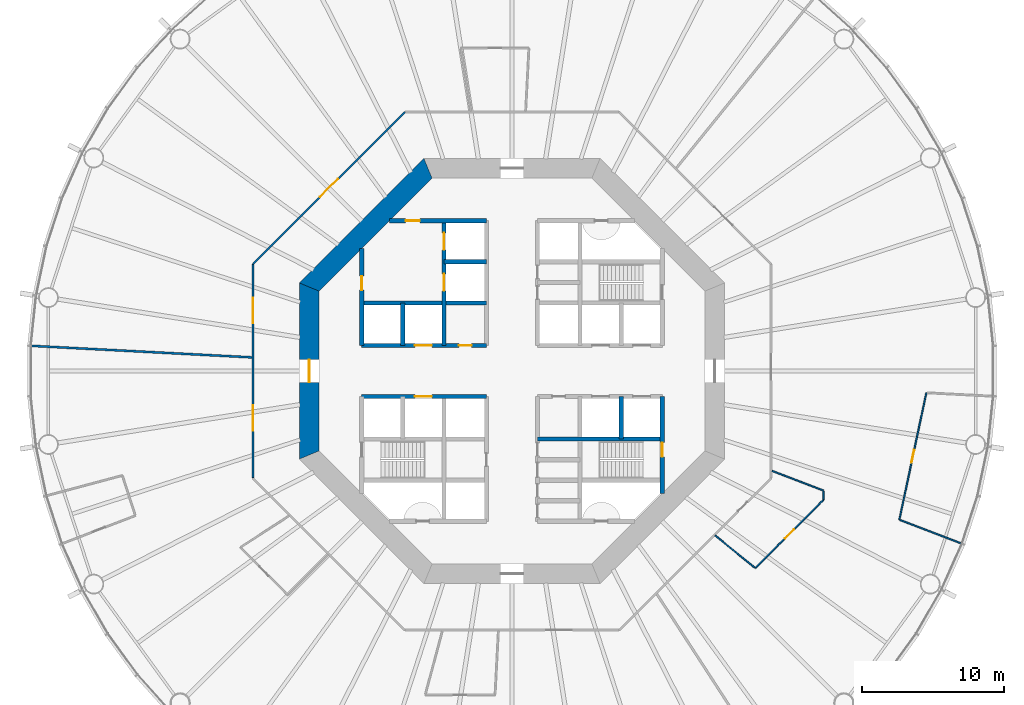
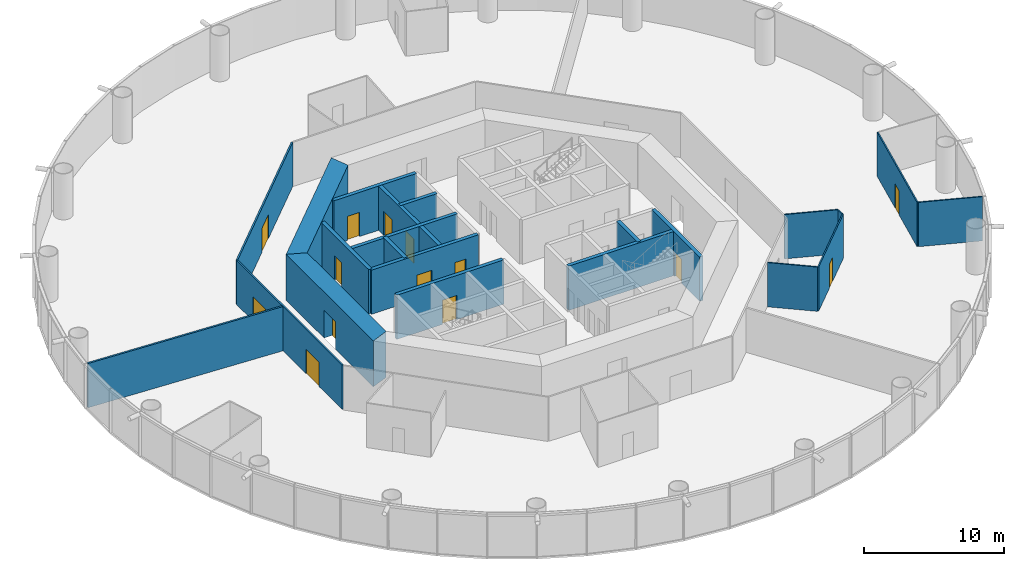
# One storey, part 4 of 13: 22 walls, 14 doors, 14 openings.
"""IFC4 building model written with IfcOpenShell, lengths in metres."""

from ifc_helpers import new_model, si_unit, direction, frame, frame_2d, origin, place, context, subcontext, project, spatial, polyline, rectangle, outline, extrude, material, layer, layer_set, type_object, element, fill, save


model = new_model("IFC4")

# Units and contexts
model_context = context("Model", 3, precision=1e-05, world=origin(), true_north=direction((0.0, 1.0)))
body_context = subcontext(model_context, "Body", "Model", "MODEL_VIEW")
ifc_project = project(units=[si_unit("LENGTHUNIT", "METRE"), si_unit("AREAUNIT", "SQUARE_METRE"), si_unit("VOLUMEUNIT", "CUBIC_METRE"), si_unit("PLANEANGLEUNIT", "RADIAN"), si_unit("MASSUNIT", "GRAM", prefix="KILO")], contexts=[model_context])

# Site, building, storey
site_placement = place(None, origin())
site = spatial("IfcSite", under=ifc_project, at=site_placement, CompositionType="ELEMENT")
building_placement = place(site_placement, origin())
building = spatial("IfcBuilding", under=site, at=building_placement, Name="Entoto Ring Tower", CompositionType="ELEMENT")
storey_placement = place(building_placement, frame((0.0, 0.0, 50.0)))
storey = spatial("IfcBuildingStorey", under=building, at=storey_placement, Name="L10", CompositionType="ELEMENT", Elevation=50.0)

# Wall, opening, door
ifc_material_1 = material(Name="Concrete C40/50", Category="concrete")
ifc_layer_1 = layer(ifc_material_1, 0.300048828125)
ifc_layer_set_1 = layer_set([ifc_layer_1], Name="Concrete C40/50")
wall_type_1 = type_object("IfcWallType", Name="Core enclosure wall 300 mm reinforced concrete", PredefinedType="SOLIDWALL", material=ifc_layer_set_1)
wall_1_placement = place(storey_placement, frame((100.60009765625, 71.36669921875, 0.0), z_axis=(0.0, 0.0, 1.0), x_axis=(0.0, 1.0, 0.0)))
wall_1 = element("IfcWall", 1, at=wall_1_placement, inside=storey, type_object=wall_type_1, Name="wall-L10-001", PredefinedType="SOLIDWALL", context=body_context, shape_type="SweptSolid", body=[
    extrude(rectangle(XDim=6.833251953125, YDim=0.300048828125, at=frame_2d((3.41650390625, 0.0))), origin(), (0.0, 0.0, 1.0), 3.85009765625),
])
opening_1_placement = place(wall_1_placement, frame((2.583251953125, 0.0, 0.0)))
opening_1 = element("IfcOpeningElement", 2, at=opening_1_placement, cuts=wall_1, Name="Opening K-22", PredefinedType="OPENING", context=body_context, shape_type="SweptSolid", body=[
    extrude(rectangle(XDim=1.0, YDim=2.10009765625, at=frame_2d((0.5, 1.050048828125))), frame((0.0, 0.16015625, 0.0), z_axis=(0.0, -1.0, 0.0), x_axis=(1.0, 0.0, 0.0)), (0.0, 0.0, 1.0), 0.320068359375),
])
ifc_material_2 = material(Name="Steel door leaf, fire rated", Category="steel")
ifc_layer_2 = layer(ifc_material_2, 0.050048828125)
ifc_layer_set_2 = layer_set([ifc_layer_2], Name="Steel door leaf, fire rated")
door_type_1 = type_object("IfcDoorType", Name="Fire door FD60 1000 x 2100 single leaf", OperationType="NOTDEFINED", PredefinedType="DOOR", material=ifc_layer_set_2)
door_1_placement = place(opening_1_placement, origin())
door_1 = element("IfcDoor", 3, at=door_1_placement, inside=storey, type_object=door_type_1, Name="Door K-22", OperationType="SINGLE_SWING_RIGHT", OverallHeight=2.10009765625, OverallWidth=1.0, PredefinedType="DOOR", context=body_context, shape_type="SweptSolid", body=[
    extrude(rectangle(XDim=1.0, YDim=2.10009765625, at=frame_2d((0.5, 1.050048828125))), frame((0.0, 0.02490234375, 0.0), z_axis=(0.0, -1.0, 0.0), x_axis=(1.0, 0.0, 0.0)), (0.0, 0.0, 1.0), 0.050048828125),
])
fill(opening_1, door_1)

# Wall
wall_2_placement = place(storey_placement, frame((97.699951171875, 75.199951171875, 0.0), z_axis=(0.0, 0.0, 1.0), x_axis=(0.0, 1.0, 0.0)))
element("IfcWall", 4, at=wall_2_placement, inside=storey, type_object=wall_type_1, Name="wall-L10-003", PredefinedType="SOLIDWALL", context=body_context, shape_type="SweptSolid", body=[
    extrude(rectangle(XDim=3.0, YDim=0.300048828125, at=frame_2d((1.5, 0.0))), origin(), (0.0, 0.0, 1.0), 3.85009765625),
])

# Wall, openings, doors
wall_3_placement = place(storey_placement, frame((85.199951171875, 81.800048828125, 0.0), z_axis=(0.0, 0.0, 1.0), x_axis=(0.0, 1.0, 0.0)))
wall_3 = element("IfcWall", 5, at=wall_3_placement, inside=storey, type_object=wall_type_1, Name="wall-L10-012", PredefinedType="SOLIDWALL", context=body_context, shape_type="SweptSolid", body=[
    extrude(rectangle(XDim=8.800048828125, YDim=0.300048828125, at=frame_2d((4.39990234375, 0.0))), origin(), (0.0, 0.0, 1.0), 3.85009765625),
])
opening_2_placement = place(wall_3_placement, frame((3.85009765625, 0.0, 0.0)))
opening_2 = element("IfcOpeningElement", 6, at=opening_2_placement, cuts=wall_3, Name="Opening LD", PredefinedType="OPENING", context=body_context, shape_type="SweptSolid", body=[
    extrude(rectangle(XDim=1.199951171875, YDim=2.10009765625, at=frame_2d((0.60009765625, 1.050048828125))), frame((0.0, 0.16015625, 0.0), z_axis=(0.0, -1.0, 0.0), x_axis=(1.0, 0.0, 0.0)), (0.0, 0.0, 1.0), 0.320068359375),
])
opening_3_placement = place(wall_3_placement, frame((6.75, 0.0, 0.0)))
opening_3 = element("IfcOpeningElement", 7, at=opening_3_placement, cuts=wall_3, Name="Opening LD", PredefinedType="OPENING", context=body_context, shape_type="SweptSolid", body=[
    extrude(rectangle(XDim=1.199951171875, YDim=2.10009765625, at=frame_2d((0.60009765625, 1.050048828125))), frame((0.0, 0.16015625, 0.0), z_axis=(0.0, -1.0, 0.0), x_axis=(1.0, 0.0, 0.0)), (0.0, 0.0, 1.0), 0.320068359375),
])
ifc_material_3 = material(Name="Steel and glass door leaf", Category="steel")
ifc_layer_3 = layer(ifc_material_3, 0.050048828125)
ifc_layer_set_3 = layer_set([ifc_layer_3], Name="Steel and glass door leaf")
door_type_2 = type_object("IfcDoorType", Name="Landing door 1200 x 2100 sliding", OperationType="DOUBLE_DOOR_SLIDING", PredefinedType="DOOR", material=ifc_layer_set_3)
door_2_placement = place(opening_2_placement, origin())
door_2 = element("IfcDoor", 8, at=door_2_placement, inside=storey, type_object=door_type_2, Name="Landing door FF1", OperationType="SLIDING_TO_RIGHT", OverallHeight=2.10009765625, OverallWidth=1.199951171875, PredefinedType="DOOR", context=body_context, shape_type="SweptSolid", body=[
    extrude(rectangle(XDim=1.199951171875, YDim=2.10009765625, at=frame_2d((0.60009765625, 1.050048828125))), frame((0.0, 0.02490234375, 0.0), z_axis=(0.0, -1.0, 0.0), x_axis=(1.0, 0.0, 0.0)), (0.0, 0.0, 1.0), 0.050048828125),
])
fill(opening_2, door_2)
door_3_placement = place(opening_3_placement, origin())
door_3 = element("IfcDoor", 9, at=door_3_placement, inside=storey, type_object=door_type_2, Name="Landing door FF2", OperationType="SLIDING_TO_RIGHT", OverallHeight=2.10009765625, OverallWidth=1.199951171875, PredefinedType="DOOR", context=body_context, shape_type="SweptSolid", body=[
    extrude(rectangle(XDim=1.199951171875, YDim=2.10009765625, at=frame_2d((0.60009765625, 1.050048828125))), frame((0.0, 0.02490234375, 0.0), z_axis=(0.0, -1.0, 0.0), x_axis=(1.0, 0.0, 0.0)), (0.0, 0.0, 1.0), 0.050048828125),
])
fill(opening_3, door_3)

# Wall
wall_4_placement = place(storey_placement, frame((82.300048828125, 81.800048828125, 0.0), z_axis=(0.0, 0.0, 1.0), x_axis=(0.0, 1.0, 0.0)))
element("IfcWall", 10, at=wall_4_placement, inside=storey, type_object=wall_type_1, Name="wall-L10-014", PredefinedType="SOLIDWALL", context=body_context, shape_type="SweptSolid", body=[
    extrude(rectangle(XDim=3.0, YDim=0.300048828125, at=frame_2d((1.5, 0.0))), origin(), (0.0, 0.0, 1.0), 3.85009765625),
])

# Wall, opening, door
wall_5_placement = place(storey_placement, frame((79.39990234375, 81.800048828125, 0.0), z_axis=(0.0, 0.0, 1.0), x_axis=(0.0, 1.0, 0.0)))
wall_5 = element("IfcWall", 11, at=wall_5_placement, inside=storey, type_object=wall_type_1, Name="wall-L10-016", PredefinedType="SOLIDWALL", context=body_context, shape_type="SweptSolid", body=[
    extrude(rectangle(XDim=6.833251953125, YDim=0.300048828125, at=frame_2d((3.41650390625, 0.0))), origin(), (0.0, 0.0, 1.0), 3.85009765625),
])
opening_4_placement = place(wall_5_placement, frame((3.89990234375, 0.0, 0.0)))
opening_4 = element("IfcOpeningElement", 12, at=opening_4_placement, cuts=wall_5, Name="Opening K-26", PredefinedType="OPENING", context=body_context, shape_type="SweptSolid", body=[
    extrude(rectangle(XDim=1.0, YDim=2.10009765625, at=frame_2d((0.5, 1.050048828125))), frame((0.0, 0.16015625, 0.0), z_axis=(0.0, -1.0, 0.0), x_axis=(1.0, 0.0, 0.0)), (0.0, 0.0, 1.0), 0.320068359375),
])
door_4_placement = place(opening_4_placement, frame((1.0, 0.0, 0.0), z_axis=(0.0, 0.0, 1.0), x_axis=(-1.0, 0.0, 0.0)))
door_4 = element("IfcDoor", 13, at=door_4_placement, inside=storey, type_object=door_type_1, Name="Door K-26", OperationType="SINGLE_SWING_LEFT", OverallHeight=2.10009765625, OverallWidth=1.0, PredefinedType="DOOR", context=body_context, shape_type="SweptSolid", body=[
    extrude(rectangle(XDim=1.0, YDim=2.10009765625, at=frame_2d((0.5, 1.050048828125))), frame((0.0, 0.02490234375, 0.0), z_axis=(0.0, -1.0, 0.0), x_axis=(1.0, 0.0, 0.0)), (0.0, 0.0, 1.0), 0.050048828125),
])
fill(opening_4, door_4)

# Wall
wall_6_placement = place(storey_placement, frame((91.800048828125, 75.199951171875, 0.0), z_axis=(0.0, 0.0, 1.0), x_axis=(1.0, 0.0, 0.0)))
element("IfcWall", 14, at=wall_6_placement, inside=storey, type_object=wall_type_1, Name="wall-L10-024", PredefinedType="SOLIDWALL", context=body_context, shape_type="SweptSolid", body=[
    extrude(rectangle(XDim=8.800048828125, YDim=0.300048828125, at=frame_2d((4.39990234375, 0.0))), origin(), (0.0, 0.0, 1.0), 3.85009765625),
])

# Wall, opening, door
wall_7_placement = place(storey_placement, frame((79.39990234375, 78.199951171875, 0.0), z_axis=(0.0, 0.0, 1.0), x_axis=(1.0, 0.0, 0.0)))
wall_7 = element("IfcWall", 15, at=wall_7_placement, inside=storey, type_object=wall_type_1, Name="wall-L10-025", PredefinedType="SOLIDWALL", context=body_context, shape_type="SweptSolid", body=[
    extrude(rectangle(XDim=8.800048828125, YDim=0.300048828125, at=frame_2d((4.39990234375, 0.0))), origin(), (0.0, 0.0, 1.0), 3.85009765625),
])
opening_5_placement = place(wall_7_placement, frame((3.75, 0.0, 0.0)))
opening_5 = element("IfcOpeningElement", 16, at=opening_5_placement, cuts=wall_7, Name="Opening LD", PredefinedType="OPENING", context=body_context, shape_type="SweptSolid", body=[
    extrude(rectangle(XDim=1.199951171875, YDim=2.10009765625, at=frame_2d((0.60009765625, 1.050048828125))), frame((0.0, 0.16015625, 0.0), z_axis=(0.0, -1.0, 0.0), x_axis=(1.0, 0.0, 0.0)), (0.0, 0.0, 1.0), 0.320068359375),
])
door_5_placement = place(opening_5_placement, origin())
door_5 = element("IfcDoor", 17, at=door_5_placement, inside=storey, type_object=door_type_2, Name="Landing door LB6-LR", OperationType="SLIDING_TO_RIGHT", OverallHeight=2.10009765625, OverallWidth=1.199951171875, PredefinedType="DOOR", context=body_context, shape_type="SweptSolid", body=[
    extrude(rectangle(XDim=1.199951171875, YDim=2.10009765625, at=frame_2d((0.60009765625, 1.050048828125))), frame((0.0, 0.02490234375, 0.0), z_axis=(0.0, -1.0, 0.0), x_axis=(1.0, 0.0, 0.0)), (0.0, 0.0, 1.0), 0.050048828125),
])
fill(opening_5, door_5)

# Wall, openings, doors
wall_8_placement = place(storey_placement, frame((79.39990234375, 81.800048828125, 0.0), z_axis=(0.0, 0.0, 1.0), x_axis=(1.0, 0.0, 0.0)))
wall_8 = element("IfcWall", 18, at=wall_8_placement, inside=storey, type_object=wall_type_1, Name="wall-L10-027", PredefinedType="SOLIDWALL", context=body_context, shape_type="SweptSolid", body=[
    extrude(rectangle(XDim=8.800048828125, YDim=0.300048828125, at=frame_2d((4.39990234375, 0.0))), origin(), (0.0, 0.0, 1.0), 3.85009765625),
])
opening_6_placement = place(wall_8_placement, frame((3.75, 0.0, 0.0)))
opening_6 = element("IfcOpeningElement", 19, at=opening_6_placement, cuts=wall_8, Name="Opening LD", PredefinedType="OPENING", context=body_context, shape_type="SweptSolid", body=[
    extrude(rectangle(XDim=1.199951171875, YDim=2.10009765625, at=frame_2d((0.60009765625, 1.050048828125))), frame((0.0, 0.16015625, 0.0), z_axis=(0.0, -1.0, 0.0), x_axis=(1.0, 0.0, 0.0)), (0.0, 0.0, 1.0), 0.320068359375),
])
opening_7_placement = place(wall_8_placement, frame((6.85009765625, 0.0, 0.0)))
opening_7 = element("IfcOpeningElement", 20, at=opening_7_placement, cuts=wall_8, Name="Opening K-18", PredefinedType="OPENING", context=body_context, shape_type="SweptSolid", body=[
    extrude(rectangle(XDim=0.89990234375, YDim=2.10009765625, at=frame_2d((0.449951171875, 1.050048828125))), frame((0.0, 0.16015625, 0.0), z_axis=(0.0, -1.0, 0.0), x_axis=(1.0, 0.0, 0.0)), (0.0, 0.0, 1.0), 0.320068359375),
])
ifc_material_4 = material(Name="Steel door leaf, fire rated", Category="steel")
ifc_layer_4 = layer(ifc_material_4, 0.050048828125)
ifc_layer_set_4 = layer_set([ifc_layer_4], Name="Steel door leaf, fire rated")
door_type_3 = type_object("IfcDoorType", Name="Core door 900 x 2100 single leaf", OperationType="NOTDEFINED", PredefinedType="DOOR", material=ifc_layer_set_4)
door_6_placement = place(opening_7_placement, frame((0.89990234375, 0.0, 0.0), z_axis=(0.0, 0.0, 1.0), x_axis=(-1.0, 0.0, 0.0)))
door_6 = element("IfcDoor", 21, at=door_6_placement, inside=storey, type_object=door_type_3, Name="Door K-18", OperationType="SINGLE_SWING_RIGHT", OverallHeight=2.10009765625, OverallWidth=0.89990234375, PredefinedType="DOOR", context=body_context, shape_type="SweptSolid", body=[
    extrude(rectangle(XDim=0.89990234375, YDim=2.10009765625, at=frame_2d((0.449951171875, 1.050048828125))), frame((0.0, 0.02490234375, 0.0), z_axis=(0.0, -1.0, 0.0), x_axis=(1.0, 0.0, 0.0)), (0.0, 0.0, 1.0), 0.050048828125),
])
fill(opening_7, door_6)
door_7_placement = place(opening_6_placement, origin())
door_7 = element("IfcDoor", 22, at=door_7_placement, inside=storey, type_object=door_type_2, Name="Landing door LB3-LR", OperationType="SLIDING_TO_RIGHT", OverallHeight=2.10009765625, OverallWidth=1.199951171875, PredefinedType="DOOR", context=body_context, shape_type="SweptSolid", body=[
    extrude(rectangle(XDim=1.199951171875, YDim=2.10009765625, at=frame_2d((0.60009765625, 1.050048828125))), frame((0.0, 0.02490234375, 0.0), z_axis=(0.0, -1.0, 0.0), x_axis=(1.0, 0.0, 0.0)), (0.0, 0.0, 1.0), 0.050048828125),
])
fill(opening_6, door_7)

# Walls
wall_9_placement = place(storey_placement, frame((79.39990234375, 84.800048828125, 0.0), z_axis=(0.0, 0.0, 1.0), x_axis=(1.0, 0.0, 0.0)))
element("IfcWall", 23, at=wall_9_placement, inside=storey, type_object=wall_type_1, Name="wall-L10-029", PredefinedType="SOLIDWALL", context=body_context, shape_type="SweptSolid", body=[
    extrude(rectangle(XDim=8.800048828125, YDim=0.300048828125, at=frame_2d((4.39990234375, 0.0))), origin(), (0.0, 0.0, 1.0), 3.85009765625),
])
wall_10_placement = place(storey_placement, frame((85.199951171875, 87.699951171875, 0.0), z_axis=(0.0, 0.0, 1.0), x_axis=(1.0, 0.0, 0.0)))
element("IfcWall", 24, at=wall_10_placement, inside=storey, type_object=wall_type_1, Name="wall-L10-032", PredefinedType="SOLIDWALL", context=body_context, shape_type="SweptSolid", body=[
    extrude(rectangle(XDim=3.0, YDim=0.300048828125, at=frame_2d((1.5, 0.0))), origin(), (0.0, 0.0, 1.0), 3.85009765625),
])

# Wall, opening, door
wall_11_placement = place(storey_placement, frame((81.36669921875, 90.60009765625, 0.0), z_axis=(0.0, 0.0, 1.0), x_axis=(1.0, 0.0, 0.0)))
wall_11 = element("IfcWall", 25, at=wall_11_placement, inside=storey, type_object=wall_type_1, Name="wall-L10-034", PredefinedType="SOLIDWALL", context=body_context, shape_type="SweptSolid", body=[
    extrude(rectangle(XDim=6.833251953125, YDim=0.300048828125, at=frame_2d((3.41650390625, 0.0))), origin(), (0.0, 0.0, 1.0), 3.85009765625),
])
opening_8_placement = place(wall_11_placement, frame((1.13330078125, 0.0, 0.0)))
opening_8 = element("IfcOpeningElement", 26, at=opening_8_placement, cuts=wall_11, Name="Opening K-27", PredefinedType="OPENING", context=body_context, shape_type="SweptSolid", body=[
    extrude(rectangle(XDim=1.0, YDim=2.10009765625, at=frame_2d((0.5, 1.050048828125))), frame((0.0, 0.16015625, 0.0), z_axis=(0.0, -1.0, 0.0), x_axis=(1.0, 0.0, 0.0)), (0.0, 0.0, 1.0), 0.320068359375),
])
door_8_placement = place(opening_8_placement, frame((1.0, 0.0, 0.0), z_axis=(0.0, 0.0, 1.0), x_axis=(-1.0, 0.0, 0.0)))
door_8 = element("IfcDoor", 27, at=door_8_placement, inside=storey, type_object=door_type_1, Name="Door K-27", OperationType="SINGLE_SWING_RIGHT", OverallHeight=2.10009765625, OverallWidth=1.0, PredefinedType="DOOR", context=body_context, shape_type="SweptSolid", body=[
    extrude(rectangle(XDim=1.0, YDim=2.10009765625, at=frame_2d((0.5, 1.050048828125))), frame((0.0, 0.02490234375, 0.0), z_axis=(0.0, -1.0, 0.0), x_axis=(1.0, 0.0, 0.0)), (0.0, 0.0, 1.0), 0.050048828125),
])
fill(opening_8, door_8)

# Wall
ifc_material_5 = material(Name="Concrete C60/75", Category="concrete")
ifc_layer_5 = layer(ifc_material_5, 1.39990234375)
ifc_layer_set_5 = layer_set([ifc_layer_5], Name="Concrete C60/75")
wall_type_2 = type_object("IfcWallType", Name="Core shear wall 1400 mm reinforced concrete C60/75", PredefinedType="SHEAR", material=ifc_layer_set_5)
wall_12_placement = place(storey_placement, frame((84.07666015625, 94.300048828125, 0.0), z_axis=(0.0, 0.0, 1.0), x_axis=(-0.707106781187, -0.707106781187, 0.0)))
element("IfcWall", 28, at=wall_12_placement, inside=storey, type_object=wall_type_2, Name="wall-L10-core-3", PredefinedType="SHEAR", context=body_context, shape_type="SweptSolid", body=[
    extrude(outline(polyline([(-0.2900390625, -0.699951171875), (12.136474609375, -0.699951171875), (11.556396484375, 0.699951171875), (0.2900390625, 0.699951171875), (-0.2900390625, -0.699951171875)])), origin(), (0.0, 0.0, 1.0), 4.0),
])

# Wall, opening, door
wall_13_placement = place(storey_placement, frame((75.699951171875, 85.92333984375, 0.0), z_axis=(0.0, 0.0, 1.0), x_axis=(0.0, -1.0, 0.0)))
wall_13 = element("IfcWall", 29, at=wall_13_placement, inside=storey, type_object=wall_type_2, Name="wall-L10-core-4", PredefinedType="SHEAR", context=body_context, shape_type="SweptSolid", body=[
    extrude(outline(polyline([(-0.2900390625, -0.699951171875), (12.13671875, -0.699951171875), (11.556640625, 0.699951171875), (0.2900390625, 0.699951171875), (-0.2900390625, -0.699951171875)])), origin(), (0.0, 0.0, 1.0), 4.0),
])
opening_9_placement = place(wall_13_placement, frame((5.123291015625, 0.0, 0.0)))
opening_9 = element("IfcOpeningElement", 30, at=opening_9_placement, cuts=wall_13, Name="Opening K-03", PredefinedType="OPENING", context=body_context, shape_type="SweptSolid", body=[
    extrude(rectangle(XDim=1.60009765625, YDim=2.39990234375, at=frame_2d((0.800048828125, 1.199951171875))), frame((0.0, 0.7099609375, 0.0), z_axis=(0.0, -1.0, 0.0), x_axis=(1.0, 0.0, 0.0)), (0.0, 0.0, 1.0), 1.419921875),
])
ifc_material_6 = material(Name="Steel door leaf, fire rated", Category="steel")
ifc_layer_6 = layer(ifc_material_6, 0.050048828125)
ifc_layer_set_6 = layer_set([ifc_layer_6], Name="Steel door leaf, fire rated")
door_type_4 = type_object("IfcDoorType", Name="Entrance door FD60 1600 x 2400 double leaf", OperationType="DOUBLE_DOOR_SINGLE_SWING", PredefinedType="DOOR", material=ifc_layer_set_6)
door_9_placement = place(opening_9_placement, origin())
door_9 = element("IfcDoor", 31, at=door_9_placement, inside=storey, type_object=door_type_4, Name="Entrance door K-03", OperationType="DOUBLE_DOOR_SINGLE_SWING", OverallHeight=2.39990234375, OverallWidth=1.60009765625, PredefinedType="DOOR", context=body_context, shape_type="SweptSolid", body=[
    extrude(rectangle(XDim=1.60009765625, YDim=2.39990234375, at=frame_2d((0.800048828125, 1.199951171875))), frame((0.0, 0.02490234375, 0.0), z_axis=(0.0, -1.0, 0.0), x_axis=(1.0, 0.0, 0.0)), (0.0, 0.0, 1.0), 0.050048828125),
])
fill(opening_9, door_9)

ifc_material_7 = material(Name="Fire-resisting plasterboard on steel studs", Category="steel")
ifc_layer_7 = layer(ifc_material_7, 0.125)
ifc_layer_set_7 = layer_set([ifc_layer_7], Name="Fire-resisting plasterboard on steel studs")
wall_type_3 = type_object("IfcWallType", Name="Corridor wall 125 mm one-hour plasterboard on steel studs", PredefinedType="PARTITIONING", material=ifc_layer_set_7)
wall_14_placement = place(storey_placement, frame((71.737548828125, 87.564697265625, 0.0), z_axis=(0.0, 0.0, 1.0), x_axis=(0.707106781187, 0.707106781187, 0.0)))
wall_14 = element("IfcWall", 32, at=wall_14_placement, inside=storey, type_object=wall_type_3, Name="partition-L10-001", PredefinedType="PARTITIONING", context=body_context, shape_type="SweptSolid", body=[
    extrude(rectangle(XDim=15.12890625, YDim=0.125, at=frame_2d((7.564453125, 0.0))), origin(), (0.0, 0.0, 1.0), 3.85009765625),
])
opening_10_placement = place(wall_14_placement, frame((6.66455078125, 0.0, 0.0)))
opening_10 = element("IfcOpeningElement", 33, at=opening_10_placement, cuts=wall_14, Name="Opening A04-D11", PredefinedType="OPENING", context=body_context, shape_type="SweptSolid", body=[
    extrude(rectangle(XDim=1.800048828125, YDim=2.10009765625, at=frame_2d((0.89990234375, 1.050048828125))), frame((0.0, 0.072509765625, 0.0), z_axis=(0.0, -1.0, 0.0), x_axis=(1.0, 0.0, 0.0)), (0.0, 0.0, 1.0), 0.14501953125),
])
ifc_material_8 = material(Name="Fire-resisting timber door set", Category="wood")
door_type_5 = type_object("IfcDoorType", Name="Door 1800 x 2100 double leaf FD30S fire door", OperationType="DOUBLE_DOOR_SINGLE_SWING", PredefinedType="DOOR", material=ifc_material_8)
door_10_placement = place(opening_10_placement, frame((1.800048828125, 0.0, 0.0), z_axis=(0.0, 0.0, 1.0), x_axis=(-1.0, 0.0, 0.0)))
door_10 = element("IfcDoor", 34, at=door_10_placement, inside=storey, type_object=door_type_5, Name="Door A04-D11", OperationType="DOUBLE_DOOR_SINGLE_SWING", OverallHeight=2.10009765625, OverallWidth=1.800048828125, PredefinedType="DOOR", context=body_context, shape_type="SweptSolid", body=[
    extrude(rectangle(XDim=1.800048828125, YDim=2.10009765625, at=frame_2d((0.89990234375, 1.050048828125))), frame((0.0, 0.02490234375, 0.0), z_axis=(0.0, -1.0, 0.0), x_axis=(1.0, 0.0, 0.0)), (0.0, 0.0, 1.0), 0.050048828125),
])
fill(opening_10, door_10)

# Wall, openings, doors
wall_15_placement = place(storey_placement, frame((71.737548828125, 72.4794921875, 0.0), z_axis=(0.0, 0.0, 1.0), x_axis=(0.0, 1.0, 0.0)))
wall_15 = element("IfcWall", 35, at=wall_15_placement, inside=storey, type_object=wall_type_3, Name="partition-L10-005", PredefinedType="PARTITIONING", context=body_context, shape_type="SweptSolid", body=[
    extrude(rectangle(XDim=15.041015625, YDim=0.125, at=frame_2d((7.5205078125, 0.0))), origin(), (0.0, 0.0, 1.0), 3.85009765625),
])
opening_11_placement = place(wall_15_placement, frame((3.31689453125, 0.0, 0.0)))
opening_11 = element("IfcOpeningElement", 36, at=opening_11_placement, cuts=wall_15, Name="Opening A04-D02", PredefinedType="OPENING", context=body_context, shape_type="SweptSolid", body=[
    extrude(rectangle(XDim=1.800048828125, YDim=2.10009765625, at=frame_2d((0.89990234375, 1.050048828125))), frame((0.0, 0.072509765625, 0.0), z_axis=(0.0, -1.0, 0.0), x_axis=(1.0, 0.0, 0.0)), (0.0, 0.0, 1.0), 0.14501953125),
])
opening_12_placement = place(wall_15_placement, frame((10.88134765625, 0.0, 0.0)))
opening_12 = element("IfcOpeningElement", 37, at=opening_12_placement, cuts=wall_15, Name="Opening A04-D12", PredefinedType="OPENING", context=body_context, shape_type="SweptSolid", body=[
    extrude(rectangle(XDim=1.800048828125, YDim=2.10009765625, at=frame_2d((0.89990234375, 1.050048828125))), frame((0.0, 0.072509765625, 0.0), z_axis=(0.0, -1.0, 0.0), x_axis=(1.0, 0.0, 0.0)), (0.0, 0.0, 1.0), 0.14501953125),
])
door_11_placement = place(opening_11_placement, frame((1.800048828125, 0.0, 0.0), z_axis=(0.0, 0.0, 1.0), x_axis=(-1.0, 0.0, 0.0)))
door_11 = element("IfcDoor", 38, at=door_11_placement, inside=storey, type_object=door_type_5, Name="Door A04-D02", OperationType="DOUBLE_DOOR_SINGLE_SWING", OverallHeight=2.10009765625, OverallWidth=1.800048828125, PredefinedType="DOOR", context=body_context, shape_type="SweptSolid", body=[
    extrude(rectangle(XDim=1.800048828125, YDim=2.10009765625, at=frame_2d((0.89990234375, 1.050048828125))), frame((0.0, 0.02490234375, 0.0), z_axis=(0.0, -1.0, 0.0), x_axis=(1.0, 0.0, 0.0)), (0.0, 0.0, 1.0), 0.050048828125),
])
fill(opening_11, door_11)
door_12_placement = place(opening_12_placement, frame((1.800048828125, 0.0, 0.0), z_axis=(0.0, 0.0, 1.0), x_axis=(-1.0, 0.0, 0.0)))
door_12 = element("IfcDoor", 39, at=door_12_placement, inside=storey, type_object=door_type_5, Name="Door A04-D12", OperationType="DOUBLE_DOOR_SINGLE_SWING", OverallHeight=2.10009765625, OverallWidth=1.800048828125, PredefinedType="DOOR", context=body_context, shape_type="SweptSolid", body=[
    extrude(rectangle(XDim=1.800048828125, YDim=2.10009765625, at=frame_2d((0.89990234375, 1.050048828125))), frame((0.0, 0.02490234375, 0.0), z_axis=(0.0, -1.0, 0.0), x_axis=(1.0, 0.0, 0.0)), (0.0, 0.0, 1.0), 0.050048828125),
])
fill(opening_12, door_12)

# Wall, opening, door
ifc_material_9 = material(Name="Plasterboard on steel studs", Category="steel")
ifc_layer_8 = layer(ifc_material_9, 0.10009765625)
ifc_layer_set_8 = layer_set([ifc_layer_8], Name="Plasterboard on steel studs")
wall_type_4 = type_object("IfcWallType", Name="Partition 100 mm plasterboard on steel studs", PredefinedType="PARTITIONING", material=ifc_layer_set_8)
wall_16_placement = place(storey_placement, frame((117.316650390625, 69.51416015625, 0.0), z_axis=(0.0, 0.0, 1.0), x_axis=(0.207913298034, 0.978147259108, 0.0)))
wall_16 = element("IfcWall", 40, at=wall_16_placement, inside=storey, type_object=wall_type_4, Name="partition-L10-012", PredefinedType="PARTITIONING", context=body_context, shape_type="SweptSolid", body=[
    extrude(rectangle(XDim=9.154296875, YDim=0.10009765625, at=frame_2d((4.5771484375, 0.0))), origin(), (0.0, 0.0, 1.0), 3.85009765625),
])
opening_13_placement = place(wall_16_placement, frame((4.127197265625, 0.0, 0.0)))
opening_13 = element("IfcOpeningElement", 41, at=opening_13_placement, cuts=wall_16, Name="Opening A04-D10", PredefinedType="OPENING", context=body_context, shape_type="SweptSolid", body=[
    extrude(rectangle(XDim=0.89990234375, YDim=2.10009765625, at=frame_2d((0.449951171875, 1.050048828125))), frame((0.0, 0.06005859375, 0.0), z_axis=(0.0, -1.0, 0.0), x_axis=(1.0, 0.0, 0.0)), (0.0, 0.0, 1.0), 0.1201171875),
])
ifc_material_10 = material(Name="Veneered timber door leaf in timber frame", Category="wood")
door_type_6 = type_object("IfcDoorType", Name="Door 900 x 2100 single leaf timber veneer", OperationType="NOTDEFINED", PredefinedType="DOOR", material=ifc_material_10)
door_13_placement = place(opening_13_placement, frame((0.89990234375, 0.0, 0.0), z_axis=(0.0, 0.0, 1.0), x_axis=(-1.0, 0.0, 0.0)))
door_13 = element("IfcDoor", 42, at=door_13_placement, inside=storey, type_object=door_type_6, Name="Door A04-D10", OperationType="SINGLE_SWING_LEFT", OverallHeight=2.10009765625, OverallWidth=0.89990234375, PredefinedType="DOOR", context=body_context, shape_type="SweptSolid", body=[
    extrude(rectangle(XDim=0.89990234375, YDim=2.10009765625, at=frame_2d((0.449951171875, 1.050048828125))), frame((0.0, 0.02490234375, 0.0), z_axis=(0.0, -1.0, 0.0), x_axis=(1.0, 0.0, 0.0)), (0.0, 0.0, 1.0), 0.050048828125),
])
fill(opening_13, door_13)

wall_17_placement = place(storey_placement, frame((107.162109375, 66.102294921875, 0.0), z_axis=(0.0, 0.0, 1.0), x_axis=(0.707088799857, 0.707124762059, 0.0)))
wall_17 = element("IfcWall", 43, at=wall_17_placement, inside=storey, type_object=wall_type_4, Name="partition-L10-013", PredefinedType="PARTITIONING", context=body_context, shape_type="SweptSolid", body=[
    extrude(rectangle(XDim=6.788818359375, YDim=0.10009765625, at=frame_2d((3.39453125, 0.0))), origin(), (0.0, 0.0, 1.0), 3.85009765625),
])
opening_14_placement = place(wall_17_placement, frame((2.9443359375, 0.0, 0.0)))
opening_14 = element("IfcOpeningElement", 44, at=opening_14_placement, cuts=wall_17, Name="Opening A04-D08", PredefinedType="OPENING", context=body_context, shape_type="SweptSolid", body=[
    extrude(rectangle(XDim=0.89990234375, YDim=2.10009765625, at=frame_2d((0.449951171875, 1.050048828125))), frame((0.0, 0.06005859375, 0.0), z_axis=(0.0, -1.0, 0.0), x_axis=(1.0, 0.0, 0.0)), (0.0, 0.0, 1.0), 0.1201171875),
])
door_14_placement = place(opening_14_placement, origin())
door_14 = element("IfcDoor", 45, at=door_14_placement, inside=storey, type_object=door_type_6, Name="Door A04-D08", OperationType="SINGLE_SWING_LEFT", OverallHeight=2.10009765625, OverallWidth=0.89990234375, PredefinedType="DOOR", context=body_context, shape_type="SweptSolid", body=[
    extrude(rectangle(XDim=0.89990234375, YDim=2.10009765625, at=frame_2d((0.449951171875, 1.050048828125))), frame((0.0, 0.02490234375, 0.0), z_axis=(0.0, -1.0, 0.0), x_axis=(1.0, 0.0, 0.0)), (0.0, 0.0, 1.0), 0.050048828125),
])
fill(opening_14, door_14)

# Walls
wall_18_placement = place(storey_placement, frame((121.685791015625, 67.8369140625, 0.0), z_axis=(0.0, 0.0, 1.0), x_axis=(-0.933570977863, 0.358392563108, 0.0)))
element("IfcWall", 46, at=wall_18_placement, inside=storey, type_object=wall_type_4, Name="partition-L10-022", PredefinedType="PARTITIONING", context=body_context, shape_type="SweptSolid", body=[
    extrude(rectangle(XDim=4.630859375, YDim=0.10009765625, at=frame_2d((2.3154296875, 0.0))), origin(), (0.0, 0.0, 1.0), 3.85009765625),
])
wall_19_placement = place(storey_placement, frame((111.96240234375, 71.5693359375, 0.0), z_axis=(0.0, 0.0, 1.0), x_axis=(-0.933562901591, 0.358413600152, 0.0)))
element("IfcWall", 47, at=wall_19_placement, inside=storey, type_object=wall_type_4, Name="partition-L10-029", PredefinedType="PARTITIONING", context=body_context, shape_type="SweptSolid", body=[
    extrude(rectangle(XDim=3.877197265625, YDim=0.10009765625, at=frame_2d((1.9384765625, 0.0))), origin(), (0.0, 0.0, 1.0), 3.85009765625),
])
wall_20_placement = place(storey_placement, frame((107.12353515625, 66.1337890625, 0.0), z_axis=(0.0, 0.0, 1.0), x_axis=(-0.777165956393, 0.629295698558, 0.0)))
element("IfcWall", 48, at=wall_20_placement, inside=storey, type_object=wall_type_4, Name="partition-L10-030", PredefinedType="PARTITIONING", context=body_context, shape_type="SweptSolid", body=[
    extrude(rectangle(XDim=3.6025390625, YDim=0.10009765625, at=frame_2d((1.80126953125, 0.0))), origin(), (0.0, 0.0, 1.0), 3.85009765625),
])
wall_21_placement = place(storey_placement, frame((111.96240234375, 70.93798828125, 0.0), z_axis=(0.0, 0.0, 1.0), x_axis=(0.0, 1.0, 0.0)))
element("IfcWall", 49, at=wall_21_placement, inside=storey, type_object=wall_type_4, Name="partition-L10-033", PredefinedType="PARTITIONING", context=body_context, shape_type="SweptSolid", body=[
    extrude(rectangle(XDim=0.5849609375, YDim=0.10009765625, at=frame_2d((0.29248046875, 0.0))), origin(), (0.0, 0.0, 1.0), 3.85009765625),
])
ifc_material_11 = material(Name="Fire-resisting acoustic plasterboard on steel studs", Category="steel")
ifc_layer_9 = layer(ifc_material_11, 0.14990234375)
ifc_layer_set_9 = layer_set([ifc_layer_9], Name="Fire-resisting acoustic plasterboard on steel studs")
wall_type_5 = type_object("IfcWallType", Name="Party wall 150 mm one-hour acoustic plasterboard on steel studs", PredefinedType="PARTITIONING", material=ifc_layer_set_9)
wall_22_placement = place(storey_placement, frame((71.671142578125, 80.960693359375, 0.0), z_axis=(0.0, 0.0, 1.0), x_axis=(-0.998629660133, 0.052333563825, 0.0)))
element("IfcWall", 50, at=wall_22_placement, inside=storey, type_object=wall_type_5, Name="partition-L10-009", PredefinedType="PARTITIONING", context=body_context, shape_type="SweptSolid", body=[
    extrude(rectangle(XDim=15.5859375, YDim=0.14990234375, at=frame_2d((7.79296875, 0.0))), origin(), (0.0, 0.0, 1.0), 3.85009765625),
])

save(model, "model.ifc")
